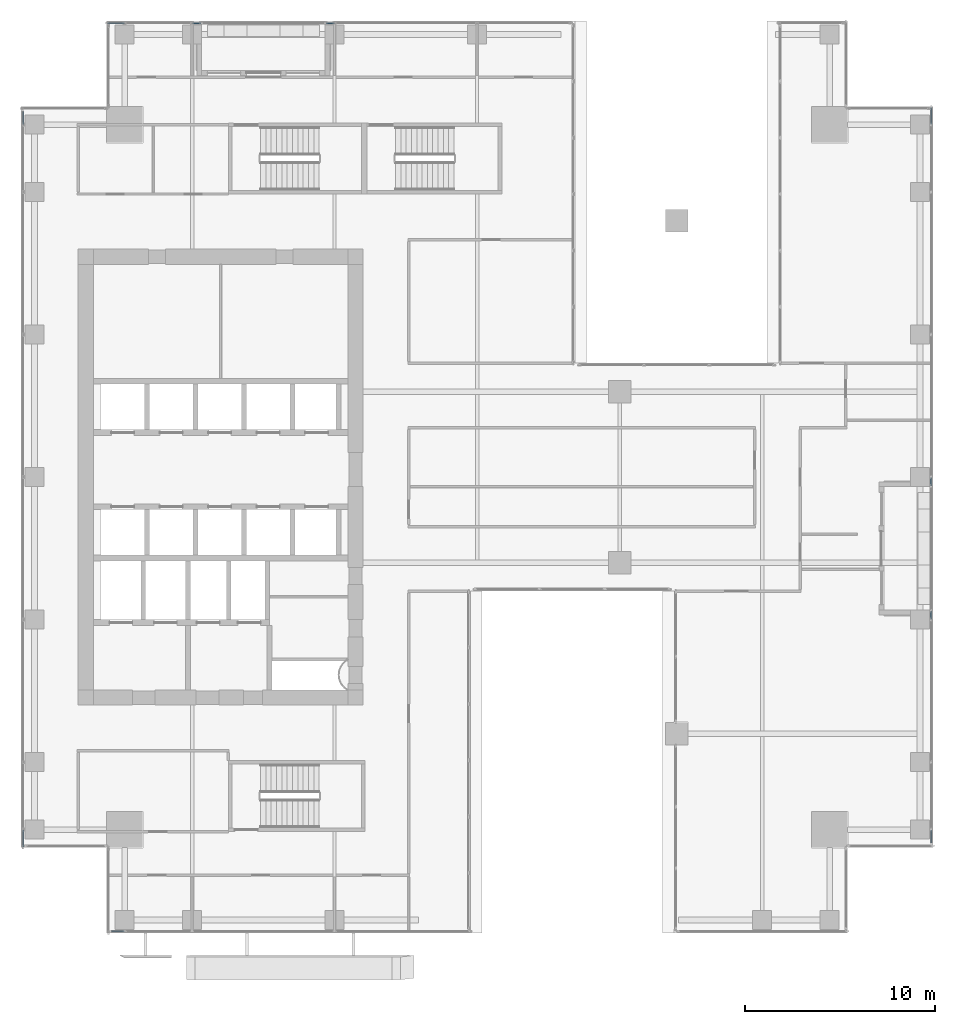
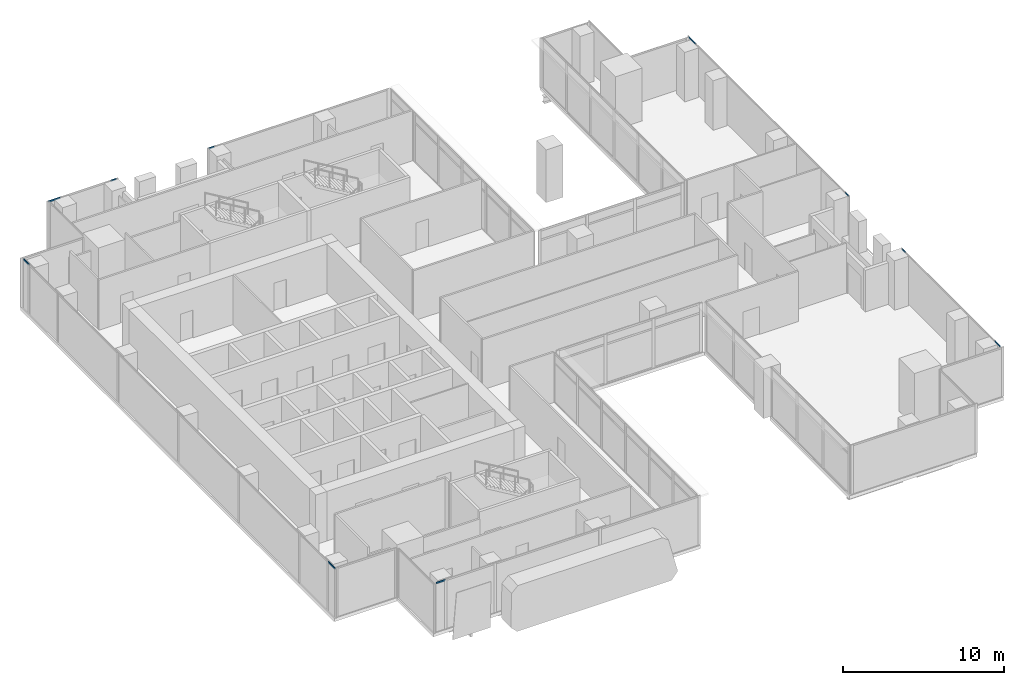
# One storey, part 27 of 38: 10 members, 6 elements without a shape of their own.
"""IFC4 building model written with IfcOpenShell, lengths in metres."""

from ifc_helpers import new_model, si_unit, direction, frame, origin, origin_2d, place, context, subcontext, project, spatial, hollow_rectangle, extrude, source, transform, mapped, material, material_profile, profile_set, type_object, element, aggregate, save


model = new_model("IFC4")

# Units and contexts
model_context = context("Model", 3, precision=1e-05, world=origin(), true_north=direction((0.0, 1.0)))
body_context = subcontext(model_context, "Body", "Model", "MODEL_VIEW")
ifc_project = project(units=[si_unit("LENGTHUNIT", "METRE"), si_unit("AREAUNIT", "SQUARE_METRE"), si_unit("VOLUMEUNIT", "CUBIC_METRE"), si_unit("PLANEANGLEUNIT", "RADIAN"), si_unit("MASSUNIT", "GRAM", prefix="KILO")], contexts=[model_context])

# Site, building, storey
site_placement = place(None, origin())
site = spatial("IfcSite", under=ifc_project, at=site_placement, CompositionType="ELEMENT")
building_placement = place(site_placement, origin())
building = spatial("IfcBuilding", under=site, at=building_placement, Name="Khomas Fold Tower", CompositionType="ELEMENT")
storey_placement = place(building_placement, frame((0.0, 0.0, 172.699951171875)))
storey = spatial("IfcBuildingStorey", under=building, at=storey_placement, Name="L37", CompositionType="ELEMENT", Elevation=172.699951171875)

# Curtain wall, member
ifc_material_1 = material(Name="Aluminium framed double glazing", Category="aluminium")
curtain_wall_type = type_object("IfcCurtainWallType", Name="SK-Unitised clear-glass wall, office floors CW2", PredefinedType="NOTDEFINED", material=ifc_material_1)
curtain_wall_1_placement = place(storey_placement, origin())
curtain_wall_1 = element("IfcCurtainWall", 1, at=curtain_wall_1_placement, inside=storey, type_object=curtain_wall_type, Name="CW2 run L37 01-0", PredefinedType="NOTDEFINED")
ifc_material_2 = material(Name="Aluminium", Category="aluminium")
ifc_material_profile = material_profile(ifc_material_2, hollow_rectangle(XDim=0.050048828125, YDim=0.110107421875, WallThickness=0.00390625, at=origin_2d()), Name="SK-Unitised clear-glass wall, office floors transom CW2-T")
ifc_profile_set = profile_set([ifc_material_profile], Name="Aluminium")
member_type = type_object("IfcMemberType", Name="SK-Unitised clear-glass wall, office floors transom CW2-T", PredefinedType="USERDEFINED", material=ifc_profile_set)
shared_shape_1 = source(origin(), body_context, "Body", "SweptSolid", [
    extrude(hollow_rectangle(XDim=0.050048828125, YDim=0.110107421875, WallThickness=0.00390625, at=origin_2d()), origin(), (0.0, 0.0, 1.0), 0.659912109375),
])
member_1_placement = place(storey_placement, frame((7.760009765625, 3.10009765625, 3.695068359375), z_axis=(1.0, 0.0, 0.0), x_axis=(0.0, 1.0, 0.0)))
member_1 = element("IfcMember", 2, at=member_1_placement, type_object=member_type, Name="CW2 transom 1", ObjectType="TRANSOM", PredefinedType="USERDEFINED", context=body_context, shape_type="MappedRepresentation", body=[
    mapped(shared_shape_1, transform((0.0, 0.0, 0.0))),
])
aggregate(curtain_wall_1, [member_1])

curtain_wall_2_placement = place(storey_placement, origin())
curtain_wall_2 = element("IfcCurtainWall", 3, at=curtain_wall_2_placement, inside=storey, type_object=curtain_wall_type, Name="CW2 run L37 08-0", PredefinedType="NOTDEFINED")
member_2_placement = place(storey_placement, frame((50.89990234375, 7.760009765625, 3.695068359375), z_axis=(0.0, 1.0, 0.0), x_axis=(-1.0, 0.0, 0.0)))
member_2 = element("IfcMember", 4, at=member_2_placement, type_object=member_type, Name="CW2 transom 1", ObjectType="TRANSOM", PredefinedType="USERDEFINED", context=body_context, shape_type="MappedRepresentation", body=[
    mapped(shared_shape_1, transform((0.0, 0.0, 0.0))),
])

curtain_wall_3_placement = place(storey_placement, origin())
curtain_wall_3 = element("IfcCurtainWall", 5, at=curtain_wall_3_placement, inside=storey, type_object=curtain_wall_type, Name="CW2 run L37 18-0", PredefinedType="NOTDEFINED")
member_3_placement = place(storey_placement, frame((3.10009765625, 46.239990234375, 3.695068359375), z_axis=(0.0, -1.0, 0.0), x_axis=(1.0, 0.0, 0.0)))
member_3 = element("IfcMember", 6, at=member_3_placement, type_object=member_type, Name="CW2 transom 1", ObjectType="TRANSOM", PredefinedType="USERDEFINED", context=body_context, shape_type="MappedRepresentation", body=[
    mapped(shared_shape_1, transform((0.0, 0.0, 0.0))),
])

# Member
shared_shape_2 = source(origin(), body_context, "Body", "SweptSolid", [
    extrude(hollow_rectangle(XDim=0.050048828125, YDim=0.110107421875, WallThickness=0.00390625, at=origin_2d()), origin(), (0.0, 0.0, 1.0), 0.409912109375),
])
member_4_placement = place(storey_placement, frame((50.89990234375, 19.530029296875, 3.695068359375), z_axis=(0.0, 1.0, 0.0), x_axis=(-1.0, 0.0, 0.0)))
member_4 = element("IfcMember", 7, at=member_4_placement, type_object=member_type, Name="CW2 transom 4", ObjectType="TRANSOM", PredefinedType="USERDEFINED", context=body_context, shape_type="MappedRepresentation", body=[
    mapped(shared_shape_2, transform((0.0, 0.0, 0.0))),
])

aggregate(curtain_wall_2, [member_2, member_4])

# Curtain wall, member
curtain_wall_4_placement = place(storey_placement, origin())
curtain_wall_4 = element("IfcCurtainWall", 8, at=curtain_wall_4_placement, inside=storey, type_object=curtain_wall_type, Name="CW2 run L37 08-1", PredefinedType="NOTDEFINED")
member_5_placement = place(storey_placement, frame((50.89990234375, 26.56005859375, 3.695068359375), z_axis=(0.0, 1.0, 0.0), x_axis=(-1.0, 0.0, 0.0)))
member_5 = element("IfcMember", 9, at=member_5_placement, type_object=member_type, Name="CW2 transom 1", ObjectType="TRANSOM", PredefinedType="USERDEFINED", context=body_context, shape_type="MappedRepresentation", body=[
    mapped(shared_shape_2, transform((0.0, 0.0, 0.0))),
])

curtain_wall_5_placement = place(storey_placement, origin())
curtain_wall_5 = element("IfcCurtainWall", 10, at=curtain_wall_5_placement, inside=storey, type_object=curtain_wall_type, Name="CW2 run L37 15-0", PredefinedType="NOTDEFINED")
member_6_placement = place(storey_placement, frame((19.469970703125, 50.89990234375, 3.695068359375), z_axis=(-1.0, 0.0, 0.0), x_axis=(0.0, -1.0, 0.0)))
member_6 = element("IfcMember", 11, at=member_6_placement, type_object=member_type, Name="CW2 transom 3", ObjectType="TRANSOM", PredefinedType="USERDEFINED", context=body_context, shape_type="MappedRepresentation", body=[
    mapped(shared_shape_2, transform((0.0, 0.0, 0.0))),
])
aggregate(curtain_wall_5, [member_6])

curtain_wall_6_placement = place(storey_placement, origin())
curtain_wall_6 = element("IfcCurtainWall", 12, at=curtain_wall_6_placement, inside=storey, type_object=curtain_wall_type, Name="CW2 run L37 15-1", PredefinedType="NOTDEFINED")
member_7_placement = place(storey_placement, frame((12.43994140625, 50.89990234375, 3.695068359375), z_axis=(-1.0, 0.0, 0.0), x_axis=(0.0, -1.0, 0.0)))
member_7 = element("IfcMember", 13, at=member_7_placement, type_object=member_type, Name="CW2 transom 1", ObjectType="TRANSOM", PredefinedType="USERDEFINED", context=body_context, shape_type="MappedRepresentation", body=[
    mapped(shared_shape_2, transform((0.0, 0.0, 0.0))),
])

# Member
shared_shape_3 = source(origin(), body_context, "Body", "SweptSolid", [
    extrude(hollow_rectangle(XDim=0.050048828125, YDim=0.110107421875, WallThickness=0.00390625, at=origin_2d()), origin(), (0.0, 0.0, 1.0), 0.85986328125),
])
member_8_placement = place(storey_placement, frame((50.89990234375, 45.580078125, 3.695068359375), z_axis=(0.0, 1.0, 0.0), x_axis=(-1.0, 0.0, 0.0)))
member_8 = element("IfcMember", 14, at=member_8_placement, type_object=member_type, Name="CW2 transom 5", ObjectType="TRANSOM", PredefinedType="USERDEFINED", context=body_context, shape_type="MappedRepresentation", body=[
    mapped(shared_shape_3, transform((0.0, 0.0, 0.0))),
])

aggregate(curtain_wall_4, [member_5, member_8])

member_9_placement = place(storey_placement, frame((8.419921875, 50.89990234375, 3.695068359375), z_axis=(-1.0, 0.0, 0.0), x_axis=(0.0, -1.0, 0.0)))
member_9 = element("IfcMember", 15, at=member_9_placement, type_object=member_type, Name="CW2 transom 3", ObjectType="TRANSOM", PredefinedType="USERDEFINED", context=body_context, shape_type="MappedRepresentation", body=[
    mapped(shared_shape_3, transform((0.0, 0.0, 0.0))),
])

aggregate(curtain_wall_6, [member_7, member_9])

member_10_placement = place(storey_placement, frame((3.10009765625, 8.419921875, 3.695068359375), z_axis=(0.0, -1.0, 0.0), x_axis=(1.0, 0.0, 0.0)))
member_10 = element("IfcMember", 16, at=member_10_placement, type_object=member_type, Name="CW2 transom 8", ObjectType="TRANSOM", PredefinedType="USERDEFINED", context=body_context, shape_type="MappedRepresentation", body=[
    mapped(shared_shape_3, transform((0.0, 0.0, 0.0))),
])

aggregate(curtain_wall_3, [member_3, member_10])

save(model, "model.ifc")
